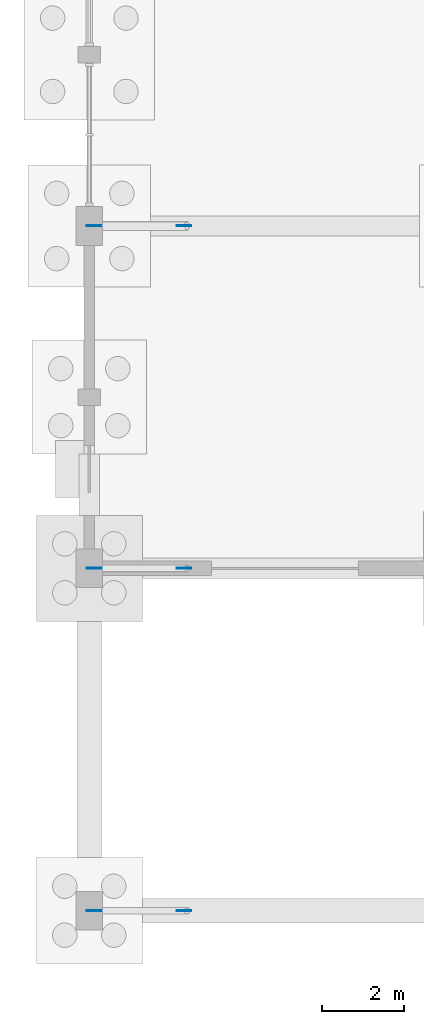
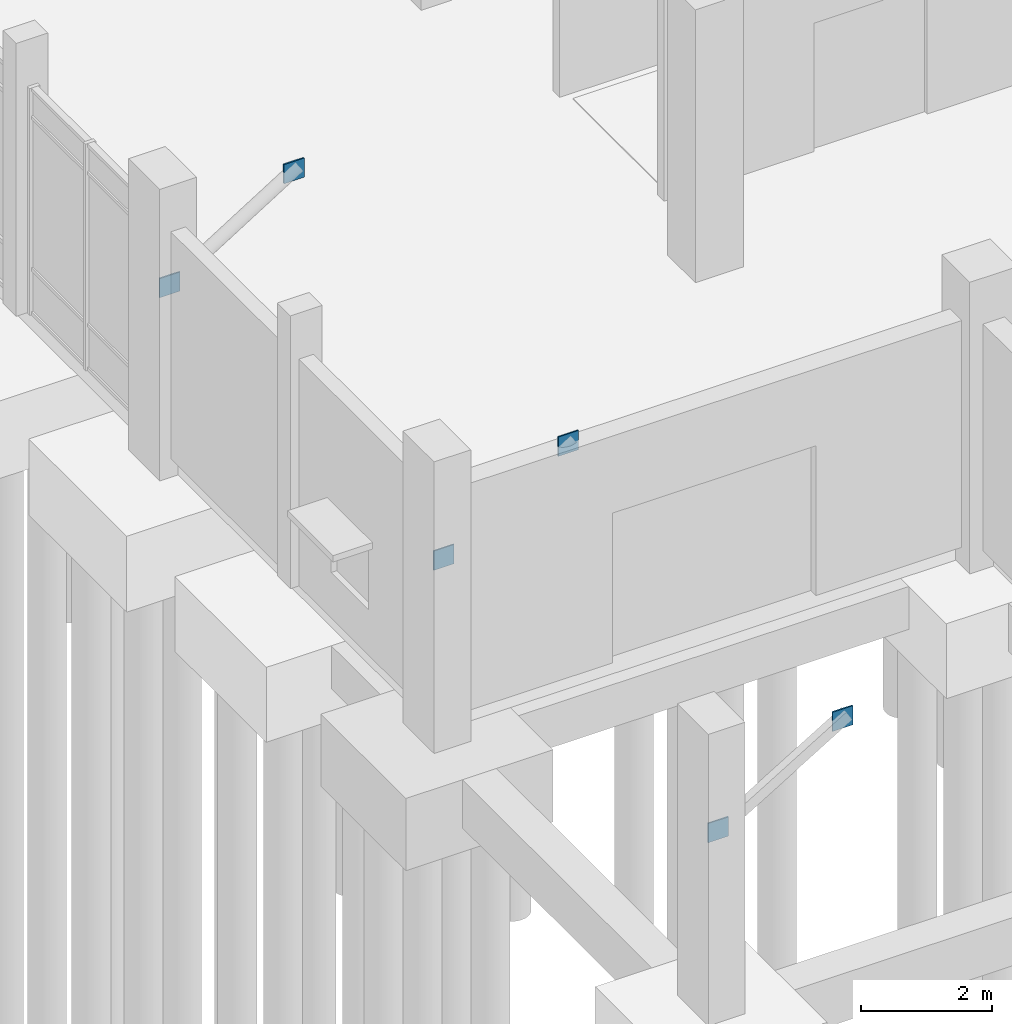
# One storey, part 94 of 136: 6 plates.
"""IFC4 building model written with IfcOpenShell, lengths in metres."""

from ifc_helpers import new_model, si_unit, direction, frame, origin, origin_2d, place, context, subcontext, project, spatial, rectangle, extrude, material, layer, layer_set, type_object, element, save


model = new_model("IFC4")

# Units and contexts
model_context = context("Model", 3, precision=1e-05, world=origin(), true_north=direction((0.0, 1.0)))
body_context = subcontext(model_context, "Body", "Model", "MODEL_VIEW")
ifc_project = project(units=[si_unit("LENGTHUNIT", "METRE"), si_unit("AREAUNIT", "SQUARE_METRE"), si_unit("VOLUMEUNIT", "CUBIC_METRE"), si_unit("PLANEANGLEUNIT", "RADIAN"), si_unit("MASSUNIT", "GRAM", prefix="KILO")], contexts=[model_context])

# Site, building, storey
site_placement = place(None, origin())
site = spatial("IfcSite", under=ifc_project, at=site_placement, CompositionType="ELEMENT")
building_placement = place(site_placement, origin())
building = spatial("IfcBuilding", under=site, at=building_placement, Name="Oolite Switchyard Hospital", CompositionType="ELEMENT")
storey_placement = place(building_placement, origin())
storey = spatial("IfcBuildingStorey", under=building, at=storey_placement, Name="L00", CompositionType="ELEMENT", Elevation=0.0)

# Plates
ifc_material = material(Name="Steel ASTM A572 Grade 50", Category="steel")
ifc_layer = layer(ifc_material, 0.02392578125)
ifc_layer_set = layer_set([ifc_layer], Name="PLT-GUS-360")
plate_type = type_object("IfcPlateType", Name="PLT-GUS-360", PredefinedType="SHEET", material=ifc_layer_set)
for number, where, z_axis, x_axis, name in (
    (1, (0.1201171875, 0.0, 2.69970703125), (0.0, 0.0, 1.0), (1.0, 0.0, 0.0), "L00 Canopy Strut B Gusset Plate 145"),
    (2, (2.320068359375, 0.0, 4.009765625), (0.0, 0.0, 1.0), (1.0, 0.0, 0.0), "L00 Canopy Strut T Gusset Plate 146"),
    (3, (0.1201171875, 8.39990234375, 2.69970703125), (0.0, 0.0, 1.0), (1.0, 0.0, 0.0), "L00 Canopy Strut B Gusset Plate 147"),
    (4, (2.320068359375, 8.39990234375, 4.06005859375), (0.0, 0.0, 1.0), (1.0, 0.0, 0.0), "L00 Canopy Strut T Gusset Plate 148"),
    (5, (0.1201171875, 16.800048828125, 2.69970703125), (0.0, 0.0, 1.0), (1.0, 0.0, 0.0), "L00 Canopy Strut B Gusset Plate 149"),
    (6, (2.320068359375, 16.800048828125, 4.06005859375), (0.0, 0.0, 1.0), (1.0, 0.0, 0.0), "L00 Canopy Strut T Gusset Plate 150"),
):
    element("IfcPlate", number, at=place(storey_placement, frame(where, z_axis=z_axis, x_axis=x_axis)), inside=storey, type_object=plate_type, Name=name, PredefinedType="SHEET", context=body_context, shape_type="SweptSolid", body=[
        extrude(rectangle(XDim=0.360107421875, YDim=0.02392578125, at=origin_2d()), origin(), (0.0, 0.0, 1.0), 0.360107421875),
    ])

save(model, "model.ifc")
